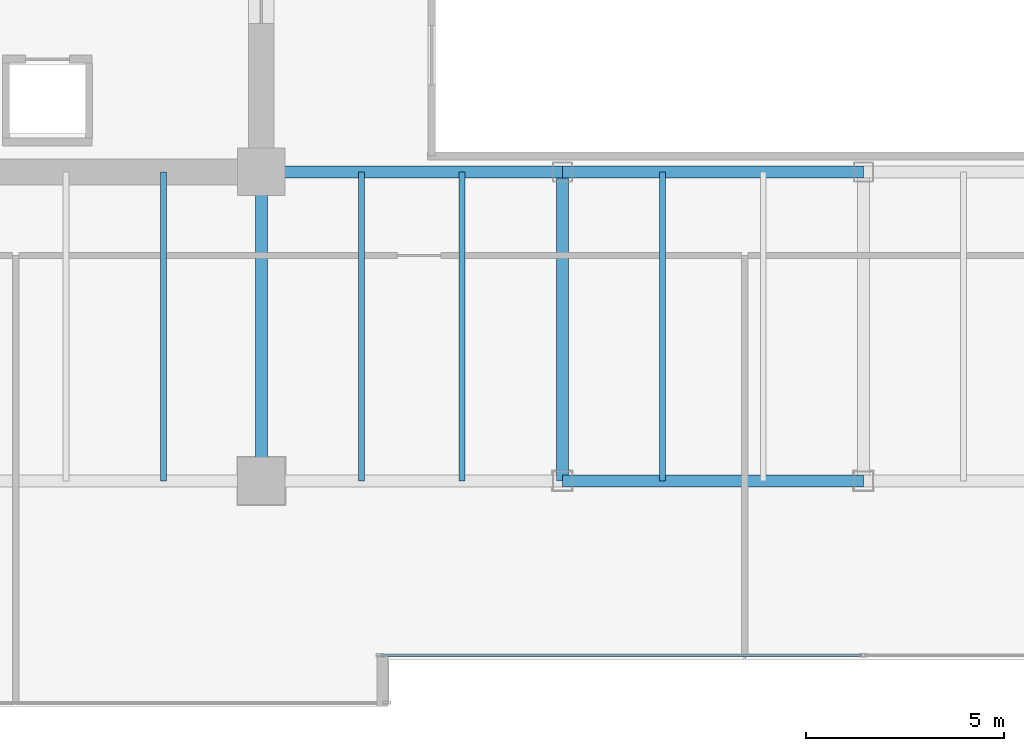
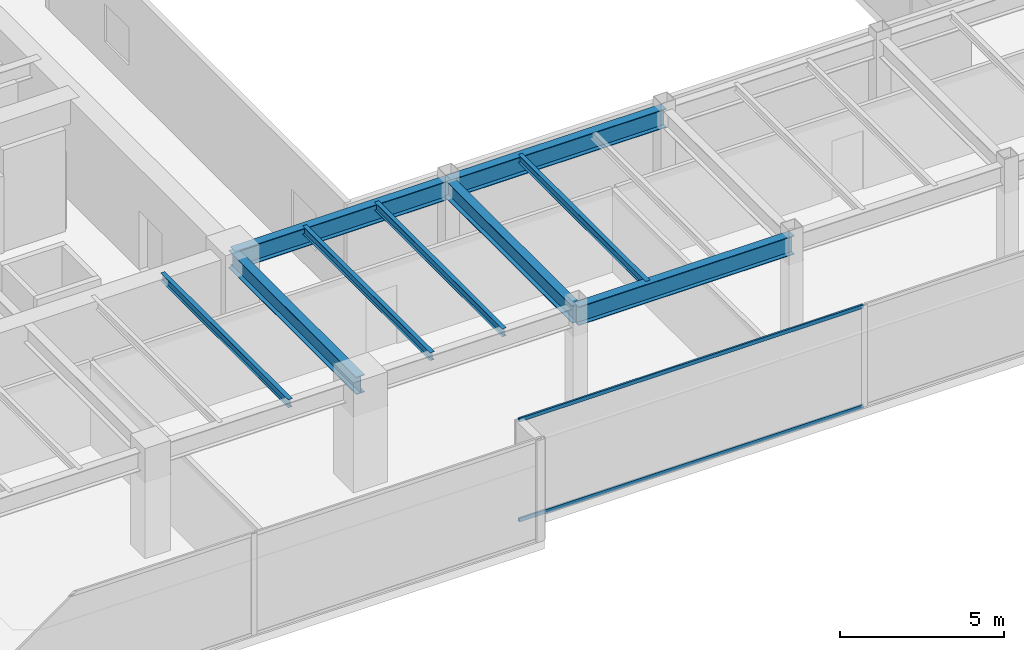
# One storey, part 5 of 33: 9 beams, 2 members, 1 element without a shape of its own.
"""IFC4 building model written with IfcOpenShell, lengths in metres."""

from ifc_helpers import new_model, si_unit, direction, frame, origin, origin_2d, place, context, subcontext, project, spatial, hollow_rectangle, i_section, extrude, source, transform, mapped, material, layer, layer_set, material_profile, profile_set, type_object, type_shapes, element, aggregate, save


model = new_model("IFC4")

# Units and contexts
model_context = context("Model", 3, precision=1e-05, world=origin(), true_north=direction((0.0, 1.0)))
body_context = subcontext(model_context, "Body", "Model", "MODEL_VIEW")
ifc_project = project(units=[si_unit("LENGTHUNIT", "METRE"), si_unit("AREAUNIT", "SQUARE_METRE"), si_unit("VOLUMEUNIT", "CUBIC_METRE"), si_unit("PLANEANGLEUNIT", "RADIAN"), si_unit("MASSUNIT", "GRAM", prefix="KILO")], contexts=[model_context])

# Site, building, storey
site_placement = place(None, origin())
site = spatial("IfcSite", under=ifc_project, at=site_placement, CompositionType="ELEMENT")
building_placement = place(site_placement, origin())
building = spatial("IfcBuilding", under=site, at=building_placement, Name="Haelvirn Gate Laboratories", CompositionType="ELEMENT")
storey_placement = place(building_placement, frame((0.0, 0.0, 117.39990234375)))
storey = spatial("IfcBuildingStorey", under=building, at=storey_placement, Name="L28", CompositionType="ELEMENT", Elevation=117.39990234375)

# Beams
ifc_material_1 = material(Name="Steel SM355", Category="steel")
ifc_material_profile_1 = material_profile(ifc_material_1, i_section(OverallWidth=0.300048828125, OverallDepth=0.64990234375, WebThickness=0.012939453125, FlangeThickness=0.02197265625, at=origin_2d()), Name="H-650x300x13x22")
ifc_profile_set_1 = profile_set([ifc_material_profile_1], Name="Steel SM355")
beam_type_1 = type_object("IfcBeamType", Name="BM-G-650", PredefinedType="BEAM", material=ifc_profile_set_1)
shared_shape_1 = source(origin(), body_context, "Body", "SweptSolid", [
    extrude(i_section(OverallWidth=0.300048828125, OverallDepth=0.64990234375, WebThickness=0.012939453125, FlangeThickness=0.02197265625, at=origin_2d()), origin(), (0.0, 0.0, 1.0), 7.800048828125),
])
type_shapes(beam_type_1, [shared_shape_1])
for number, where, z_axis, x_axis, name in (
    (1, (22.199951171875, 7.0, 3.465087890625), (0.0, 1.0, 0.0), (-1.0, 0.0, 0.0), "L28 Frame Girder X22.2 (7.0-14.8)"),
    (2, (29.800048828125, 7.0, 3.465087890625), (0.0, 1.0, 0.0), (-1.0, 0.0, 0.0), "L28 Frame Girder X29.8 (7.0-14.8)"),
):
    element("IfcBeam", number, at=place(storey_placement, frame(where, z_axis=z_axis, x_axis=x_axis)), inside=storey, type_object=beam_type_1, Name=name, PredefinedType="BEAM", context=body_context, shape_type="MappedRepresentation", body=[
        mapped(shared_shape_1, transform((0.0, 0.0, 0.0), scale=1.0)),
    ])
ifc_material_profile_2 = material_profile(ifc_material_1, i_section(OverallWidth=0.300048828125, OverallDepth=0.699951171875, WebThickness=0.012939453125, FlangeThickness=0.02392578125, at=origin_2d()), Name="H-700x300x13x24")
ifc_profile_set_2 = profile_set([ifc_material_profile_2], Name="Steel SM355")
beam_type_2 = type_object("IfcBeamType", Name="BM-G-700", PredefinedType="BEAM", material=ifc_profile_set_2)
shared_shape_2 = source(origin(), body_context, "Body", "SweptSolid", [
    extrude(i_section(OverallWidth=0.300048828125, OverallDepth=0.699951171875, WebThickness=0.012939453125, FlangeThickness=0.02392578125, at=origin_2d()), origin(), (0.0, 0.0, 1.0), 7.60009765625),
])
beam_placement = place(storey_placement, frame((22.199951171875, 14.800048828125, 3.440185546875), z_axis=(1.0, 0.0, 0.0), x_axis=(0.0, 1.0, 0.0)))
element("IfcBeam", 3, at=beam_placement, inside=storey, type_object=beam_type_2, Name="L28 Primary Girder Y14.8 (22.2-29.8)", PredefinedType="BEAM", context=body_context, shape_type="MappedRepresentation", body=[
    mapped(shared_shape_2, transform((0.0, 0.0, 0.0), scale=1.0)),
])
shared_shape_3 = source(origin(), body_context, "Body", "SweptSolid", [
    extrude(i_section(OverallWidth=0.300048828125, OverallDepth=0.699951171875, WebThickness=0.012939453125, FlangeThickness=0.02392578125, at=origin_2d()), origin(), (0.0, 0.0, 1.0), 7.599853515625),
])
type_shapes(beam_type_2, [shared_shape_2, shared_shape_3])
for number, where, z_axis, x_axis, name in (
    (4, (29.800048828125, 7.0, 3.440185546875), (1.0, 0.0, 0.0), (0.0, 1.0, 0.0), "L28 Primary Girder Y7.0 (29.8-37.4)"),
    (5, (29.800048828125, 14.800048828125, 3.440185546875), (1.0, 0.0, 0.0), (0.0, 1.0, 0.0), "L28 Primary Girder Y14.8 (29.8-37.4)"),
):
    element("IfcBeam", number, at=place(storey_placement, frame(where, z_axis=z_axis, x_axis=x_axis)), inside=storey, type_object=beam_type_2, Name=name, PredefinedType="BEAM", context=body_context, shape_type="MappedRepresentation", body=[
        mapped(shared_shape_3, transform((0.0, 0.0, 0.0), scale=1.0)),
    ])
ifc_material_profile_3 = material_profile(ifc_material_1, i_section(OverallWidth=0.14990234375, OverallDepth=0.300048828125, WebThickness=0.006591796875, FlangeThickness=0.009033203125, at=origin_2d()), Name="H-300x150x6.5x9")
ifc_profile_set_3 = profile_set([ifc_material_profile_3], Name="Steel SM355")
beam_type_3 = type_object("IfcBeamType", Name="BM-J-300", PredefinedType="JOIST", material=ifc_profile_set_3)
shared_shape_4 = source(origin(), body_context, "Body", "SweptSolid", [
    extrude(i_section(OverallWidth=0.14990234375, OverallDepth=0.300048828125, WebThickness=0.006591796875, FlangeThickness=0.009033203125, at=origin_2d()), origin(), (0.0, 0.0, 1.0), 7.800048828125),
])
type_shapes(beam_type_3, [shared_shape_4])
for number, where, z_axis, x_axis, name in (
    (6, (19.72998046875, 7.0, 3.64013671875), (0.0, 1.0, 0.0), (-1.0, 0.0, 0.0), "L28 Composite Lab Joist South X19.73"),
    (7, (24.72998046875, 7.0, 3.64013671875), (0.0, 1.0, 0.0), (-1.0, 0.0, 0.0), "L28 Composite Lab Joist South X24.73"),
    (8, (27.27001953125, 7.0, 3.64013671875), (0.0, 1.0, 0.0), (-1.0, 0.0, 0.0), "L28 Composite Lab Joist South X27.27"),
    (9, (32.330078125, 7.0, 3.64013671875), (0.0, 1.0, 0.0), (-1.0, 0.0, 0.0), "L28 Composite Lab Joist South X32.33"),
):
    element("IfcBeam", number, at=place(storey_placement, frame(where, z_axis=z_axis, x_axis=x_axis)), inside=storey, type_object=beam_type_3, Name=name, PredefinedType="JOIST", context=body_context, shape_type="MappedRepresentation", body=[
        mapped(shared_shape_4, transform((0.0, 0.0, 0.0), scale=1.0)),
    ])

# Curtain wall, members
ifc_material_2 = material(Name="Anodised bronze unitised aluminium & triple low-E glass", Category="aluminium")
ifc_layer = layer(ifc_material_2, 0.179931640625, Name="CW-SYS-3")
ifc_layer_set = layer_set([ifc_layer], Name="Anodised bronze unitised aluminium & triple low-E glass")
curtain_wall_type = type_object("IfcCurtainWallType", Name="CW-SYS-3", PredefinedType="NOTDEFINED", material=ifc_layer_set)
curtain_wall_placement = place(storey_placement, origin())
curtain_wall = element("IfcCurtainWall", 10, at=curtain_wall_placement, inside=storey, type_object=curtain_wall_type, Name="L28 Unitised Curtain Wall CW-L28-P0-E02-1", PredefinedType="NOTDEFINED")
ifc_material_3 = material(Name="Extruded aluminium 6063-T6 (anodised bronze)", Category="aluminium")
ifc_material_profile_4 = material_profile(ifc_material_3, hollow_rectangle(XDim=0.06494140625, YDim=0.139892578125, WallThickness=0.00390625, at=origin_2d()), Name="CWT-140x65x4")
ifc_profile_set_4 = profile_set([ifc_material_profile_4], Name="Extruded aluminium 6063-T6 (anodised bronze)")
member_type = type_object("IfcMemberType", Name="CWT-T140", PredefinedType="USERDEFINED", material=ifc_profile_set_4)
shared_shape_5 = source(origin(), body_context, "Body", "SweptSolid", [
    extrude(hollow_rectangle(XDim=0.06494140625, YDim=0.139892578125, WallThickness=0.00390625, at=origin_2d()), origin(), (0.0, 0.0, 1.0), 12.12744140625),
])
type_shapes(member_type, [shared_shape_5])
member_1_placement = place(storey_placement, frame((25.235107421875, 2.60009765625, 0.03271484375), z_axis=(1.0, 0.0, 0.0), x_axis=(0.0, 1.0, 0.0)))
member_1 = element("IfcMember", 11, at=member_1_placement, type_object=member_type, Name="CW3 transom 1.1", ObjectType="TRANSOM", PredefinedType="USERDEFINED", context=body_context, shape_type="MappedRepresentation", body=[
    mapped(shared_shape_5, transform((0.0, 0.0, 0.0), scale=1.0)),
])
member_2_placement = place(storey_placement, frame((25.235107421875, 2.60009765625, 3.757568359375), z_axis=(1.0, 0.0, 0.0), x_axis=(0.0, 1.0, 0.0)))
member_2 = element("IfcMember", 12, at=member_2_placement, type_object=member_type, Name="CW3 transom 1.2", ObjectType="TRANSOM", PredefinedType="USERDEFINED", context=body_context, shape_type="MappedRepresentation", body=[
    mapped(shared_shape_5, transform((0.0, 0.0, 0.0), scale=1.0)),
])
aggregate(curtain_wall, [member_1, member_2])

save(model, "model.ifc")
